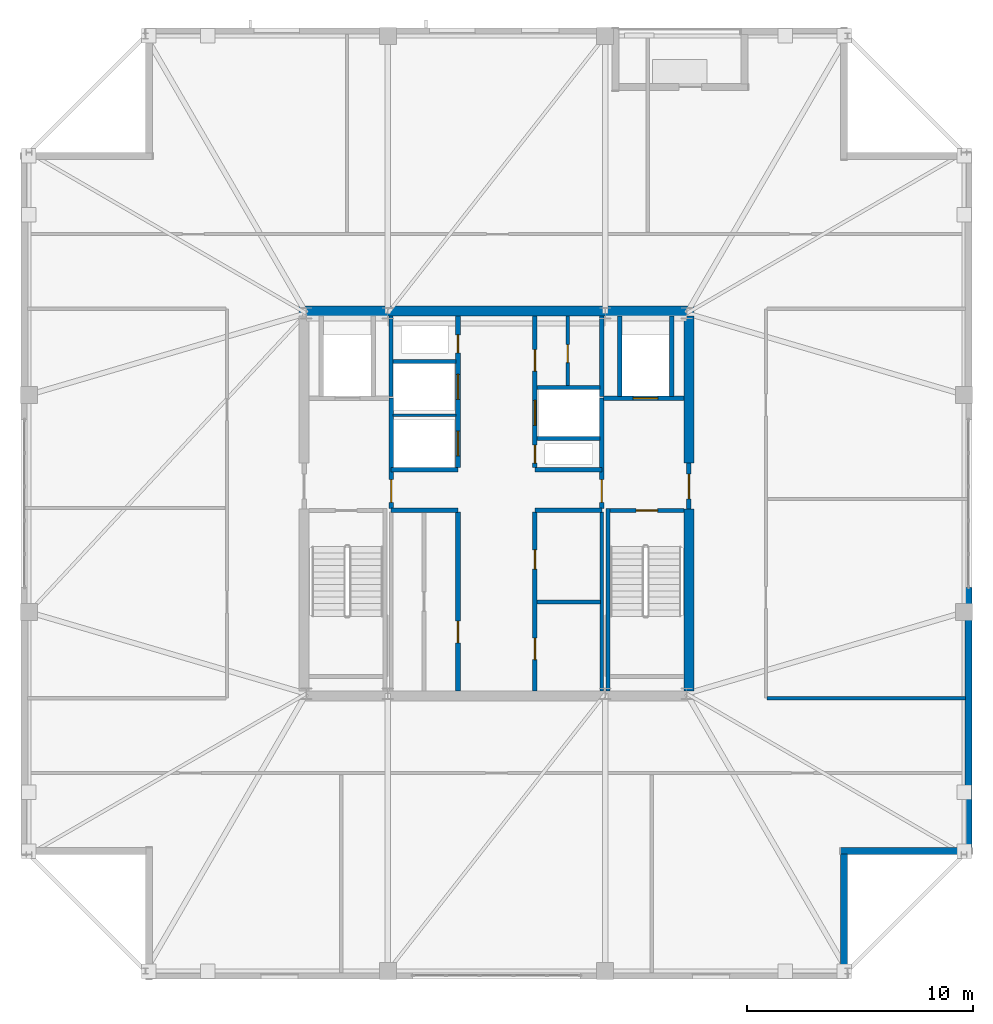
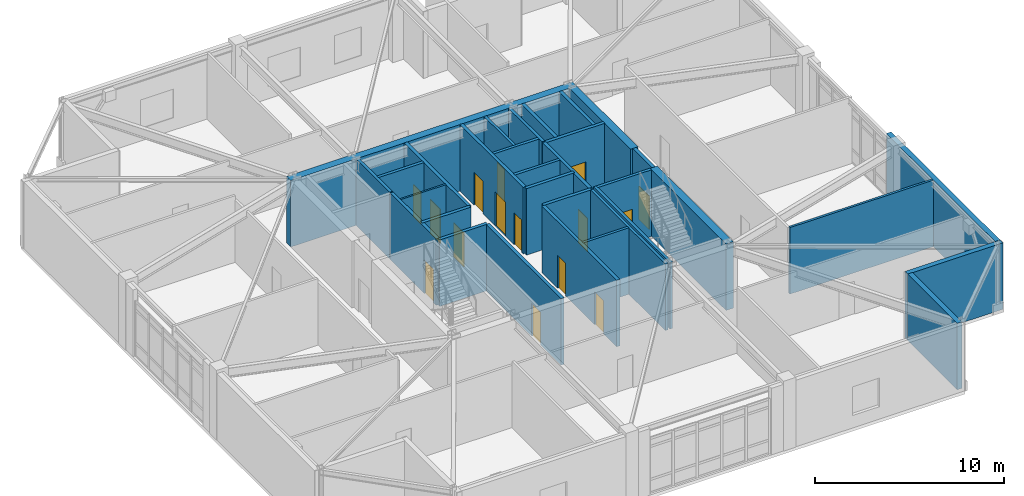
# One storey, part 12 of 16: 32 walls, 15 doors, 15 openings.
"""IFC4 building model written with IfcOpenShell, lengths in metres."""

from ifc_helpers import new_model, si_unit, direction, frame, frame_2d, origin, place, context, subcontext, project, spatial, rectangle, extrude, material, layer, layer_set, type_object, element, fill, save


model = new_model("IFC4")

# Units and contexts
model_context = context("Model", 3, precision=1e-05, world=origin(), true_north=direction((0.0, 1.0)))
body_context = subcontext(model_context, "Body", "Model", "MODEL_VIEW")
ifc_project = project(units=[si_unit("LENGTHUNIT", "METRE"), si_unit("AREAUNIT", "SQUARE_METRE"), si_unit("VOLUMEUNIT", "CUBIC_METRE"), si_unit("PLANEANGLEUNIT", "RADIAN"), si_unit("MASSUNIT", "GRAM", prefix="KILO")], contexts=[model_context])

# Site, building, storey
site_placement = place(None, origin())
site = spatial("IfcSite", under=ifc_project, at=site_placement, CompositionType="ELEMENT")
building_placement = place(site_placement, origin())
building = spatial("IfcBuilding", under=site, at=building_placement, Name="Cairnveth Concourse Tower", CompositionType="ELEMENT")
storey_placement = place(building_placement, frame((0.0, 0.0, 315.5)))
storey = spatial("IfcBuildingStorey", under=building, at=storey_placement, Name="L87", CompositionType="ELEMENT", Elevation=315.5)

# Walls
ifc_material_1 = material(Name="Gypsum Plasterboard Partition", Category="gypsum")
ifc_layer_1 = layer(ifc_material_1, 0.159912109375)
ifc_layer_set_1 = layer_set([ifc_layer_1], Name="Gypsum Plasterboard Partition")
wall_type_1 = type_object("IfcWallType", Name="ACOUSTIC PARTY WALL 180", PredefinedType="PARTITIONING", material=ifc_layer_set_1)
wall_1_placement = place(storey_placement, frame((56.64990234375, 30.7099609375, 0.0), z_axis=(0.0, 0.0, 1.0), x_axis=(0.0, 1.0, 0.0)))
element("IfcWall", 1, at=wall_1_placement, inside=storey, type_object=wall_type_1, Name="Interior Wall IW-L87-027", PredefinedType="PARTITIONING", context=body_context, shape_type="SweptSolid", body=[
    extrude(rectangle(XDim=7.905029296875, YDim=0.159912109375, at=frame_2d((3.95263671875, 0.0))), origin(), (0.0, 0.0, 1.0), 4.2900390625),
])
wall_2_placement = place(storey_placement, frame((53.784912109375, 34.64990234375, 0.0), z_axis=(0.0, 0.0, 1.0), x_axis=(1.0, 0.0, 0.0)))
element("IfcWall", 2, at=wall_2_placement, inside=storey, type_object=wall_type_1, Name="Interior Wall IW-L87-028", PredefinedType="PARTITIONING", context=body_context, shape_type="SweptSolid", body=[
    extrude(rectangle(XDim=2.800048828125, YDim=0.159912109375, at=frame_2d((1.39990234375, 0.0))), origin(), (0.0, 0.0, 1.0), 4.2900390625),
])

# Wall, opening, door
wall_3_placement = place(storey_placement, frame((55.14990234375, 44.195068359375, 0.0), z_axis=(0.0, 0.0, 1.0), x_axis=(0.0, 1.0, 0.0)))
wall_3 = element("IfcWall", 3, at=wall_3_placement, inside=storey, type_object=wall_type_1, Name="Interior Wall IW-L87-035", PredefinedType="PARTITIONING", context=body_context, shape_type="SweptSolid", body=[
    extrude(rectangle(XDim=3.094970703125, YDim=0.159912109375, at=frame_2d((1.54736328125, 0.0))), origin(), (0.0, 0.0, 1.0), 4.2900390625),
])
opening_1_placement = place(wall_3_placement, frame((1.02490234375, 0.0, 0.0)))
opening_1 = element("IfcOpeningElement", 4, at=opening_1_placement, cuts=wall_3, Name="Opening ID23", PredefinedType="OPENING", context=body_context, shape_type="SweptSolid", body=[
    extrude(rectangle(XDim=0.800048828125, YDim=2.10009765625, at=frame_2d((0.39990234375, 1.050048828125))), frame((0.0, 0.08984375, 0.0), z_axis=(0.0, -1.0, 0.0), x_axis=(1.0, 0.0, 0.0)), (0.0, 0.0, 1.0), 0.179931640625),
])
ifc_material_2 = material(Name="Steel Grade 350", Category="steel")
door_type_1 = type_object("IfcDoorType", Name="CORE SERVICE DOOR 800X2100", OperationType="NOTDEFINED", PredefinedType="DOOR", material=ifc_material_2)
door_1_placement = place(opening_1_placement, origin())
door_1 = element("IfcDoor", 5, at=door_1_placement, inside=storey, type_object=door_type_1, Name="NE Linen Closet Door L87", OperationType="SINGLE_SWING_LEFT", OverallHeight=2.10009765625, OverallWidth=0.800048828125, PredefinedType="DOOR", context=body_context, shape_type="SweptSolid", body=[
    extrude(rectangle(XDim=0.800048828125, YDim=2.10009765625, at=frame_2d((0.39990234375, 1.050048828125))), frame((0.0, 0.02490234375, 0.0), z_axis=(0.0, -1.0, 0.0), x_axis=(1.0, 0.0, 0.0)), (0.0, 0.0, 1.0), 0.050048828125),
])
fill(opening_1, door_1)

# Walls
ifc_material_3 = material(Name="Concrete N65 (65 MPa)", Category="concrete")
ifc_layer_2 = layer(ifc_material_3, 0.449951171875)
ifc_layer_set_2 = layer_set([ifc_layer_2], Name="Concrete N65 (65 MPa)")
wall_type_2 = type_object("IfcWallType", Name="CORE SHEAR WALL 450", PredefinedType="SHEAR", material=ifc_layer_set_2)
wall_4_placement = place(storey_placement, frame((43.27490234375, 47.5, 0.0), z_axis=(0.0, 0.0, 1.0), x_axis=(1.0, 0.0, 0.0)))
element("IfcWall", 6, at=wall_4_placement, inside=storey, type_object=wall_type_2, Name="Core North Shear Wall L87", PredefinedType="SHEAR", context=body_context, shape_type="SweptSolid", body=[
    extrude(rectangle(XDim=17.4501953125, YDim=0.449951171875, at=frame_2d((8.72509765625, 0.0))), origin(), (0.0, 0.0, 1.0), 4.2900390625),
])
wall_5_placement = place(storey_placement, frame((60.5, 30.715087890625, 0.0), z_axis=(0.0, 0.0, 1.0), x_axis=(0.0, 1.0, 0.0)))
element("IfcWall", 7, at=wall_5_placement, inside=storey, type_object=wall_type_2, Name="Core East Shear Wall S L87", PredefinedType="SHEAR", context=body_context, shape_type="SweptSolid", body=[
    extrude(rectangle(XDim=8.034912109375, YDim=0.449951171875, at=frame_2d((4.017578125, 0.0))), origin(), (0.0, 0.0, 1.0), 4.2900390625),
])
wall_6_placement = place(storey_placement, frame((60.5, 40.800048828125, 0.0), z_axis=(0.0, 0.0, 1.0), x_axis=(0.0, 1.0, 0.0)))
element("IfcWall", 8, at=wall_6_placement, inside=storey, type_object=wall_type_2, Name="Core East Shear Wall N L87", PredefinedType="SHEAR", context=body_context, shape_type="SweptSolid", body=[
    extrude(rectangle(XDim=6.48486328125, YDim=0.449951171875, at=frame_2d((3.242431640625, 0.0))), origin(), (0.0, 0.0, 1.0), 4.2900390625),
])
ifc_material_4 = material(Name="Concrete N50 (50 MPa)", Category="concrete")
ifc_layer_3 = layer(ifc_material_4, 0.179931640625)
ifc_layer_set_3 = layer_set([ifc_layer_3], Name="Concrete N50 (50 MPa)")
wall_type_3 = type_object("IfcWallType", Name="FIRE SHAFT WALL 180", PredefinedType="SOLIDWALL", material=ifc_layer_set_3)
wall_7_placement = place(storey_placement, frame((47.35009765625, 43.735107421875, 0.0), z_axis=(0.0, 0.0, 1.0), x_axis=(0.0, 1.0, 0.0)))
element("IfcWall", 9, at=wall_7_placement, inside=storey, type_object=wall_type_3, Name="Interior Wall IW-L87-029", PredefinedType="SOLIDWALL", context=body_context, shape_type="SweptSolid", body=[
    extrude(rectangle(XDim=3.554931640625, YDim=0.179931640625, at=frame_2d((1.77734375, 0.0))), origin(), (0.0, 0.0, 1.0), 4.2900390625),
])
wall_8_placement = place(storey_placement, frame((47.425048828125, 45.280029296875, 0.0), z_axis=(0.0, 0.0, 1.0), x_axis=(1.0, 0.0, 0.0)))
element("IfcWall", 10, at=wall_8_placement, inside=storey, type_object=wall_type_3, Name="Interior Wall IW-L87-031", PredefinedType="SOLIDWALL", context=body_context, shape_type="SweptSolid", body=[
    extrude(rectangle(XDim=2.7900390625, YDim=0.179931640625, at=frame_2d((1.39501953125, 0.0))), origin(), (0.0, 0.0, 1.0), 4.2900390625),
])
wall_9_placement = place(storey_placement, frame((56.64990234375, 43.735107421875, 0.0), z_axis=(0.0, 0.0, 1.0), x_axis=(0.0, 1.0, 0.0)))
element("IfcWall", 11, at=wall_9_placement, inside=storey, type_object=wall_type_3, Name="Interior Wall IW-L87-032", PredefinedType="SOLIDWALL", context=body_context, shape_type="SweptSolid", body=[
    extrude(rectangle(XDim=3.554931640625, YDim=0.179931640625, at=frame_2d((1.77734375, 0.0))), origin(), (0.0, 0.0, 1.0), 4.2900390625),
])
wall_10_placement = place(storey_placement, frame((53.784912109375, 41.8798828125, 0.0), z_axis=(0.0, 0.0, 1.0), x_axis=(1.0, 0.0, 0.0)))
element("IfcWall", 12, at=wall_10_placement, inside=storey, type_object=wall_type_3, Name="Interior Wall IW-L87-033", PredefinedType="SOLIDWALL", context=body_context, shape_type="SweptSolid", body=[
    extrude(rectangle(XDim=2.780029296875, YDim=0.179931640625, at=frame_2d((1.39013671875, 0.0))), origin(), (0.0, 0.0, 1.0), 4.2900390625),
])
wall_11_placement = place(storey_placement, frame((53.784912109375, 44.1201171875, 0.0), z_axis=(0.0, 0.0, 1.0), x_axis=(1.0, 0.0, 0.0)))
element("IfcWall", 13, at=wall_11_placement, inside=storey, type_object=wall_type_3, Name="Interior Wall IW-L87-034", PredefinedType="SOLIDWALL", context=body_context, shape_type="SweptSolid", body=[
    extrude(rectangle(XDim=2.7900390625, YDim=0.179931640625, at=frame_2d((1.39501953125, 0.0))), origin(), (0.0, 0.0, 1.0), 4.2900390625),
])

# Wall, opening, door
wall_12_placement = place(storey_placement, frame((57.0048828125, 38.68994140625, 0.0), z_axis=(0.0, 0.0, 1.0), x_axis=(1.0, 0.0, 0.0)))
wall_12 = element("IfcWall", 14, at=wall_12_placement, inside=storey, type_object=wall_type_3, Name="Stair ST-2 Shaft Wall NEAR L87", PredefinedType="SOLIDWALL", context=body_context, shape_type="SweptSolid", body=[
    extrude(rectangle(XDim=3.280029296875, YDim=0.179931640625, at=frame_2d((1.64013671875, 0.0))), origin(), (0.0, 0.0, 1.0), 4.2900390625),
])
opening_2_placement = place(wall_12_placement, frame((1.1650390625, 0.0, 0.0)))
opening_2 = element("IfcOpeningElement", 15, at=opening_2_placement, cuts=wall_12, Name="Opening ID12", PredefinedType="OPENING", context=body_context, shape_type="SweptSolid", body=[
    extrude(rectangle(XDim=0.949951171875, YDim=2.14990234375, at=frame_2d((0.47509765625, 1.074951171875))), frame((0.0, 0.099853515625, 0.0), z_axis=(0.0, -1.0, 0.0), x_axis=(1.0, 0.0, 0.0)), (0.0, 0.0, 1.0), 0.199951171875),
])
door_type_2 = type_object("IfcDoorType", Name="FIRE STAIR DOOR 950X2150", OperationType="NOTDEFINED", PredefinedType="DOOR", material=ifc_material_2)
door_2_placement = place(opening_2_placement, origin())
door_2 = element("IfcDoor", 16, at=door_2_placement, inside=storey, type_object=door_type_2, Name="Stair ST-2 Fire Door L87", OperationType="SINGLE_SWING_RIGHT", OverallHeight=2.14990234375, OverallWidth=0.949951171875, PredefinedType="DOOR", context=body_context, shape_type="SweptSolid", body=[
    extrude(rectangle(XDim=0.949951171875, YDim=2.14990234375, at=frame_2d((0.47509765625, 1.074951171875))), frame((0.0, 0.02490234375, 0.0), z_axis=(0.0, -1.0, 0.0), x_axis=(1.0, 0.0, 0.0)), (0.0, 0.0, 1.0), 0.050048828125),
])
fill(opening_2, door_2)

# Walls
wall_13_placement = place(storey_placement, frame((56.929931640625, 38.780029296875, 0.0), z_axis=(0.0, 0.0, 1.0), x_axis=(0.0, -1.0, 0.0)))
element("IfcWall", 17, at=wall_13_placement, inside=storey, type_object=wall_type_3, Name="Stair ST-2 Shaft Wall LEFT L87", PredefinedType="SOLIDWALL", context=body_context, shape_type="SweptSolid", body=[
    extrude(rectangle(XDim=8.067138671875, YDim=0.179931640625, at=frame_2d((4.03369140625, 0.0))), origin(), (0.0, 0.0, 1.0), 4.2900390625),
])
ifc_layer_4 = layer(ifc_material_4, 0.199951171875)
ifc_layer_set_4 = layer_set([ifc_layer_4], Name="Concrete N50 (50 MPa)")
wall_type_4 = type_object("IfcWallType", Name="FIRE SHAFT WALL 200", PredefinedType="SOLIDWALL", material=ifc_layer_set_4)
for number, where, z_axis, x_axis, name in (
    (18, (47.35009765625, 38.699951171875, 0.0), (0.0, 0.0, 1.0), (1.0, 0.0, 0.0), "Interior Wall IW-L87-007"),
    (19, (47.35009765625, 40.5, 0.0), (0.0, 0.0, 1.0), (1.0, 0.0, 0.0), "Interior Wall IW-L87-008"),
    (20, (53.699951171875, 38.699951171875, 0.0), (0.0, 0.0, 1.0), (1.0, 0.0, 0.0), "Interior Wall IW-L87-009"),
    (21, (53.699951171875, 40.5, 0.0), (0.0, 0.0, 1.0), (1.0, 0.0, 0.0), "Interior Wall IW-L87-010"),
):
    element("IfcWall", number, at=place(storey_placement, frame(where, z_axis=z_axis, x_axis=x_axis)), inside=storey, type_object=wall_type_4, Name=name, PredefinedType="SOLIDWALL", context=body_context, shape_type="SweptSolid", body=[
        extrude(rectangle(XDim=2.949951171875, YDim=0.199951171875, at=frame_2d((1.47509765625, 0.0))), origin(), (0.0, 0.0, 1.0), 4.2900390625),
    ])

# Wall, opening, door
wall_14_placement = place(storey_placement, frame((50.300048828125, 30.7099609375, 0.0), z_axis=(0.0, 0.0, 1.0), x_axis=(0.0, 1.0, 0.0)))
wall_14 = element("IfcWall", 22, at=wall_14_placement, inside=storey, type_object=wall_type_4, Name="Interior Wall IW-L87-011", PredefinedType="SOLIDWALL", context=body_context, shape_type="SweptSolid", body=[
    extrude(rectangle(XDim=7.905029296875, YDim=0.199951171875, at=frame_2d((3.95263671875, 0.0))), origin(), (0.0, 0.0, 1.0), 4.2900390625),
])
opening_3_placement = place(wall_14_placement, frame((2.139892578125, 0.0, 0.0)))
opening_3 = element("IfcOpeningElement", 23, at=opening_3_placement, cuts=wall_14, Name="Opening ID25", PredefinedType="OPENING", context=body_context, shape_type="SweptSolid", body=[
    extrude(rectangle(XDim=0.949951171875, YDim=2.1201171875, at=frame_2d((0.47509765625, 1.06005859375))), frame((0.0, 0.10986328125, 0.0), z_axis=(0.0, -1.0, 0.0), x_axis=(1.0, 0.0, 0.0)), (0.0, 0.0, 1.0), 0.219970703125),
])
door_type_3 = type_object("IfcDoorType", Name="CORE ACCESSIBLE FIRE DOOR 950X2120", OperationType="NOTDEFINED", PredefinedType="DOOR", material=ifc_material_2)
door_3_placement = place(opening_3_placement, origin())
door_3 = element("IfcDoor", 24, at=door_3_placement, inside=storey, type_object=door_type_3, Name="Accessible WC Suite Door L87", OperationType="SINGLE_SWING_LEFT", OverallHeight=2.1201171875, OverallWidth=0.949951171875, PredefinedType="DOOR", context=body_context, shape_type="SweptSolid", body=[
    extrude(rectangle(XDim=0.949951171875, YDim=2.1201171875, at=frame_2d((0.47509765625, 1.06005859375))), frame((0.0, 0.02490234375, 0.0), z_axis=(0.0, -1.0, 0.0), x_axis=(1.0, 0.0, 0.0)), (0.0, 0.0, 1.0), 0.050048828125),
])
fill(opening_3, door_3)

# Wall, openings, doors
wall_15_placement = place(storey_placement, frame((53.699951171875, 30.7099609375, 0.0), z_axis=(0.0, 0.0, 1.0), x_axis=(0.0, 1.0, 0.0)))
wall_15 = element("IfcWall", 25, at=wall_15_placement, inside=storey, type_object=wall_type_4, Name="Interior Wall IW-L87-012", PredefinedType="SOLIDWALL", context=body_context, shape_type="SweptSolid", body=[
    extrude(rectangle(XDim=7.905029296875, YDim=0.199951171875, at=frame_2d((3.95263671875, 0.0))), origin(), (0.0, 0.0, 1.0), 4.2900390625),
])
opening_4_placement = place(wall_15_placement, frame((1.389892578125, 0.0, 0.0)))
opening_4 = element("IfcOpeningElement", 26, at=opening_4_placement, cuts=wall_15, Name="Opening ID25", PredefinedType="OPENING", context=body_context, shape_type="SweptSolid", body=[
    extrude(rectangle(XDim=0.949951171875, YDim=2.1201171875, at=frame_2d((0.47509765625, 1.06005859375))), frame((0.0, 0.10986328125, 0.0), z_axis=(0.0, -1.0, 0.0), x_axis=(1.0, 0.0, 0.0)), (0.0, 0.0, 1.0), 0.219970703125),
])
opening_5_placement = place(wall_15_placement, frame((5.389892578125, 0.0, 0.0)))
opening_5 = element("IfcOpeningElement", 27, at=opening_5_placement, cuts=wall_15, Name="Opening ID19", PredefinedType="OPENING", context=body_context, shape_type="SweptSolid", body=[
    extrude(rectangle(XDim=0.85009765625, YDim=2.1201171875, at=frame_2d((0.425048828125, 1.06005859375))), frame((0.0, 0.10986328125, 0.0), z_axis=(0.0, -1.0, 0.0), x_axis=(1.0, 0.0, 0.0)), (0.0, 0.0, 1.0), 0.219970703125),
])
door_4_placement = place(opening_4_placement, origin())
door_4 = element("IfcDoor", 28, at=door_4_placement, inside=storey, type_object=door_type_3, Name="Sky WC Door L87", OperationType="SINGLE_SWING_LEFT", OverallHeight=2.1201171875, OverallWidth=0.949951171875, PredefinedType="DOOR", context=body_context, shape_type="SweptSolid", body=[
    extrude(rectangle(XDim=0.949951171875, YDim=2.1201171875, at=frame_2d((0.47509765625, 1.06005859375))), frame((0.0, 0.02490234375, 0.0), z_axis=(0.0, -1.0, 0.0), x_axis=(1.0, 0.0, 0.0)), (0.0, 0.0, 1.0), 0.050048828125),
])
fill(opening_4, door_4)
door_type_4 = type_object("IfcDoorType", Name="CORE SERVICE DOOR 850X2100", OperationType="NOTDEFINED", PredefinedType="DOOR", material=ifc_material_2)
door_5_placement = place(opening_5_placement, origin())
door_5 = element("IfcDoor", 29, at=door_5_placement, inside=storey, type_object=door_type_4, Name="Janitor Door L87", OperationType="SINGLE_SWING_RIGHT", OverallHeight=2.1201171875, OverallWidth=0.85009765625, PredefinedType="DOOR", context=body_context, shape_type="SweptSolid", body=[
    extrude(rectangle(XDim=0.85009765625, YDim=2.1201171875, at=frame_2d((0.425048828125, 1.06005859375))), frame((0.0, 0.02490234375, 0.0), z_axis=(0.0, -1.0, 0.0), x_axis=(1.0, 0.0, 0.0)), (0.0, 0.0, 1.0), 0.050048828125),
])
fill(opening_5, door_5)

wall_16_placement = place(storey_placement, frame((50.300048828125, 40.5849609375, 0.0), z_axis=(0.0, 0.0, 1.0), x_axis=(0.0, 1.0, 0.0)))
wall_16 = element("IfcWall", 30, at=wall_16_placement, inside=storey, type_object=wall_type_4, Name="Interior Wall IW-L87-013", PredefinedType="SOLIDWALL", context=body_context, shape_type="SweptSolid", body=[
    extrude(rectangle(XDim=6.705078125, YDim=0.199951171875, at=frame_2d((3.3525390625, 0.0))), origin(), (0.0, 0.0, 1.0), 4.2900390625),
])
opening_6_placement = place(wall_16_placement, frame((0.514892578125, 0.0, 0.0)))
opening_6 = element("IfcOpeningElement", 31, at=opening_6_placement, cuts=wall_16, Name="Opening LD-1", PredefinedType="OPENING", context=body_context, shape_type="SweptSolid", body=[
    extrude(rectangle(XDim=1.10009765625, YDim=2.199951171875, at=frame_2d((0.550048828125, 1.10009765625))), frame((0.0, 0.10986328125, 0.0), z_axis=(0.0, -1.0, 0.0), x_axis=(1.0, 0.0, 0.0)), (0.0, 0.0, 1.0), 0.219970703125),
])
opening_7_placement = place(wall_16_placement, frame((3.014892578125, 0.0, 0.0)))
opening_7 = element("IfcOpeningElement", 32, at=opening_7_placement, cuts=wall_16, Name="Opening LD-1", PredefinedType="OPENING", context=body_context, shape_type="SweptSolid", body=[
    extrude(rectangle(XDim=1.10009765625, YDim=2.199951171875, at=frame_2d((0.550048828125, 1.10009765625))), frame((0.0, 0.10986328125, 0.0), z_axis=(0.0, -1.0, 0.0), x_axis=(1.0, 0.0, 0.0)), (0.0, 0.0, 1.0), 0.219970703125),
])
opening_8_placement = place(wall_16_placement, frame((5.06494140625, 0.0, 0.0)))
opening_8 = element("IfcOpeningElement", 33, at=opening_8_placement, cuts=wall_16, Name="Opening ID24", PredefinedType="OPENING", context=body_context, shape_type="SweptSolid", body=[
    extrude(rectangle(XDim=0.800048828125, YDim=2.080078125, at=frame_2d((0.39990234375, 1.0400390625))), frame((0.0, 0.10986328125, 0.0), z_axis=(0.0, -1.0, 0.0), x_axis=(1.0, 0.0, 0.0)), (0.0, 0.0, 1.0), 0.219970703125),
])
ifc_material_5 = material(Name="Architectural Bronze Anodised Aluminium 6063-T6", Category="aluminium")
door_type_5 = type_object("IfcDoorType", Name="LIFT LANDING DOOR 1100X2200", OperationType="SLIDING_TO_LEFT", PredefinedType="DOOR", material=ifc_material_5)
door_6_placement = place(opening_6_placement, origin())
door_6 = element("IfcDoor", 34, at=door_6_placement, inside=storey, type_object=door_type_5, Name="Lift PL7 Landing Door L87", OperationType="SLIDING_TO_LEFT", OverallHeight=2.199951171875, OverallWidth=1.10009765625, PredefinedType="DOOR", context=body_context, shape_type="SweptSolid", body=[
    extrude(rectangle(XDim=1.10009765625, YDim=2.199951171875, at=frame_2d((0.550048828125, 1.10009765625))), frame((0.0, 0.02490234375, 0.0), z_axis=(0.0, -1.0, 0.0), x_axis=(1.0, 0.0, 0.0)), (0.0, 0.0, 1.0), 0.050048828125),
])
fill(opening_6, door_6)
door_7_placement = place(opening_7_placement, origin())
door_7 = element("IfcDoor", 35, at=door_7_placement, inside=storey, type_object=door_type_5, Name="Lift PL8 Landing Door L87", OperationType="SLIDING_TO_LEFT", OverallHeight=2.199951171875, OverallWidth=1.10009765625, PredefinedType="DOOR", context=body_context, shape_type="SweptSolid", body=[
    extrude(rectangle(XDim=1.10009765625, YDim=2.199951171875, at=frame_2d((0.550048828125, 1.10009765625))), frame((0.0, 0.02490234375, 0.0), z_axis=(0.0, -1.0, 0.0), x_axis=(1.0, 0.0, 0.0)), (0.0, 0.0, 1.0), 0.050048828125),
])
fill(opening_7, door_7)
door_type_6 = type_object("IfcDoorType", Name="RISER ACCESS DOOR 800X2100", OperationType="NOTDEFINED", PredefinedType="DOOR", material=ifc_material_2)
door_8_placement = place(opening_8_placement, origin())
door_8 = element("IfcDoor", 36, at=door_8_placement, inside=storey, type_object=door_type_6, Name="NW Electrical Riser Access Door L87", OperationType="SINGLE_SWING_LEFT", OverallHeight=2.080078125, OverallWidth=0.800048828125, PredefinedType="DOOR", context=body_context, shape_type="SweptSolid", body=[
    extrude(rectangle(XDim=0.800048828125, YDim=2.080078125, at=frame_2d((0.39990234375, 1.0400390625))), frame((0.0, 0.02490234375, 0.0), z_axis=(0.0, -1.0, 0.0), x_axis=(1.0, 0.0, 0.0)), (0.0, 0.0, 1.0), 0.050048828125),
])
fill(opening_8, door_8)

wall_17_placement = place(storey_placement, frame((53.699951171875, 40.5849609375, 0.0), z_axis=(0.0, 0.0, 1.0), x_axis=(0.0, 1.0, 0.0)))
wall_17 = element("IfcWall", 37, at=wall_17_placement, inside=storey, type_object=wall_type_4, Name="Interior Wall IW-L87-014", PredefinedType="SOLIDWALL", context=body_context, shape_type="SweptSolid", body=[
    extrude(rectangle(XDim=6.705078125, YDim=0.199951171875, at=frame_2d((3.3525390625, 0.0))), origin(), (0.0, 0.0, 1.0), 4.2900390625),
])
opening_9_placement = place(wall_17_placement, frame((0.195068359375, 0.0, 0.0)))
opening_9 = element("IfcOpeningElement", 38, at=opening_9_placement, cuts=wall_17, Name="Opening ID24", PredefinedType="OPENING", context=body_context, shape_type="SweptSolid", body=[
    extrude(rectangle(XDim=0.800048828125, YDim=2.080078125, at=frame_2d((0.39990234375, 1.0400390625))), frame((0.0, 0.10986328125, 0.0), z_axis=(0.0, -1.0, 0.0), x_axis=(1.0, 0.0, 0.0)), (0.0, 0.0, 1.0), 0.219970703125),
])
opening_10_placement = place(wall_17_placement, frame((1.864990234375, 0.0, 0.0)))
opening_10 = element("IfcOpeningElement", 39, at=opening_10_placement, cuts=wall_17, Name="Opening LD-1", PredefinedType="OPENING", context=body_context, shape_type="SweptSolid", body=[
    extrude(rectangle(XDim=1.10009765625, YDim=2.199951171875, at=frame_2d((0.550048828125, 1.10009765625))), frame((0.0, 0.10986328125, 0.0), z_axis=(0.0, -1.0, 0.0), x_axis=(1.0, 0.0, 0.0)), (0.0, 0.0, 1.0), 0.219970703125),
])
opening_11_placement = place(wall_17_placement, frame((4.264892578125, 0.0, 0.0)))
opening_11 = element("IfcOpeningElement", 40, at=opening_11_placement, cuts=wall_17, Name="Opening ID25", PredefinedType="OPENING", context=body_context, shape_type="SweptSolid", body=[
    extrude(rectangle(XDim=0.949951171875, YDim=2.1201171875, at=frame_2d((0.47509765625, 1.06005859375))), frame((0.0, 0.10986328125, 0.0), z_axis=(0.0, -1.0, 0.0), x_axis=(1.0, 0.0, 0.0)), (0.0, 0.0, 1.0), 0.219970703125),
])
door_9_placement = place(opening_11_placement, origin())
door_9 = element("IfcDoor", 41, at=door_9_placement, inside=storey, type_object=door_type_3, Name="Core NE Restroom Door L87", OperationType="SINGLE_SWING_RIGHT", OverallHeight=2.1201171875, OverallWidth=0.949951171875, PredefinedType="DOOR", context=body_context, shape_type="SweptSolid", body=[
    extrude(rectangle(XDim=0.949951171875, YDim=2.1201171875, at=frame_2d((0.47509765625, 1.06005859375))), frame((0.0, 0.02490234375, 0.0), z_axis=(0.0, -1.0, 0.0), x_axis=(1.0, 0.0, 0.0)), (0.0, 0.0, 1.0), 0.050048828125),
])
fill(opening_11, door_9)
door_10_placement = place(opening_10_placement, origin())
door_10 = element("IfcDoor", 42, at=door_10_placement, inside=storey, type_object=door_type_5, Name="Lift PL9 Landing Door L87", OperationType="SLIDING_TO_LEFT", OverallHeight=2.199951171875, OverallWidth=1.10009765625, PredefinedType="DOOR", context=body_context, shape_type="SweptSolid", body=[
    extrude(rectangle(XDim=1.10009765625, YDim=2.199951171875, at=frame_2d((0.550048828125, 1.10009765625))), frame((0.0, 0.02490234375, 0.0), z_axis=(0.0, -1.0, 0.0), x_axis=(1.0, 0.0, 0.0)), (0.0, 0.0, 1.0), 0.050048828125),
])
fill(opening_10, door_10)
door_11_placement = place(opening_9_placement, origin())
door_11 = element("IfcDoor", 43, at=door_11_placement, inside=storey, type_object=door_type_6, Name="Hydraulic Riser Door L87", OperationType="SINGLE_SWING_RIGHT", OverallHeight=2.080078125, OverallWidth=0.800048828125, PredefinedType="DOOR", context=body_context, shape_type="SweptSolid", body=[
    extrude(rectangle(XDim=0.800048828125, YDim=2.080078125, at=frame_2d((0.39990234375, 1.0400390625))), frame((0.0, 0.02490234375, 0.0), z_axis=(0.0, -1.0, 0.0), x_axis=(1.0, 0.0, 0.0)), (0.0, 0.0, 1.0), 0.050048828125),
])
fill(opening_9, door_11)

# Wall, opening, door
wall_18_placement = place(storey_placement, frame((47.35009765625, 38.784912109375, 0.0), z_axis=(0.0, 0.0, 1.0), x_axis=(0.0, 1.0, 0.0)))
wall_18 = element("IfcWall", 44, at=wall_18_placement, inside=storey, type_object=wall_type_4, Name="Interior Wall IW-L87-016", PredefinedType="SOLIDWALL", context=body_context, shape_type="SweptSolid", body=[
    extrude(rectangle(XDim=4.864990234375, YDim=0.199951171875, at=frame_2d((2.4326171875, 0.0))), origin(), (0.0, 0.0, 1.0), 4.2900390625),
])
opening_12_placement = place(wall_18_placement, frame((0.264892578125, 0.0, 0.0)))
opening_12 = element("IfcOpeningElement", 45, at=opening_12_placement, cuts=wall_18, Name="Opening ID07", PredefinedType="OPENING", context=body_context, shape_type="SweptSolid", body=[
    extrude(rectangle(XDim=1.0, YDim=2.14990234375, at=frame_2d((0.5, 1.074951171875))), frame((0.0, 0.10986328125, 0.0), z_axis=(0.0, -1.0, 0.0), x_axis=(1.0, 0.0, 0.0)), (0.0, 0.0, 1.0), 0.219970703125),
])
door_type_7 = type_object("IfcDoorType", Name="FIRE CORRIDOR DOOR 1000X2150", OperationType="NOTDEFINED", PredefinedType="DOOR", material=ifc_material_2)
door_12_placement = place(opening_12_placement, origin())
door_12 = element("IfcDoor", 46, at=door_12_placement, inside=storey, type_object=door_type_7, Name="FF Lobby West to Lift Lobby Door L87", OperationType="SINGLE_SWING_RIGHT", OverallHeight=2.14990234375, OverallWidth=1.0, PredefinedType="DOOR", context=body_context, shape_type="SweptSolid", body=[
    extrude(rectangle(XDim=1.0, YDim=2.14990234375, at=frame_2d((0.5, 1.074951171875))), frame((0.0, 0.02490234375, 0.0), z_axis=(0.0, -1.0, 0.0), x_axis=(1.0, 0.0, 0.0)), (0.0, 0.0, 1.0), 0.050048828125),
])
fill(opening_12, door_12)

wall_19_placement = place(storey_placement, frame((60.5, 38.75, 0.0), z_axis=(0.0, 0.0, 1.0), x_axis=(0.0, 1.0, 0.0)))
wall_19 = element("IfcWall", 47, at=wall_19_placement, inside=storey, type_object=wall_type_4, Name="Interior Wall IW-L87-020", PredefinedType="SOLIDWALL", context=body_context, shape_type="SweptSolid", body=[
    extrude(rectangle(XDim=2.050048828125, YDim=0.199951171875, at=frame_2d((1.02490234375, 0.0))), origin(), (0.0, 0.0, 1.0), 4.2900390625),
])
opening_13_placement = place(wall_19_placement, frame((0.449951171875, 0.0, 0.0)))
opening_13 = element("IfcOpeningElement", 48, at=opening_13_placement, cuts=wall_19, Name="Opening ID06", PredefinedType="OPENING", context=body_context, shape_type="SweptSolid", body=[
    extrude(rectangle(XDim=1.10009765625, YDim=2.14990234375, at=frame_2d((0.550048828125, 1.074951171875))), frame((0.0, 0.10986328125, 0.0), z_axis=(0.0, -1.0, 0.0), x_axis=(1.0, 0.0, 0.0)), (0.0, 0.0, 1.0), 0.219970703125),
])
door_type_8 = type_object("IfcDoorType", Name="FIRE CORRIDOR DOOR 1100X2150", OperationType="NOTDEFINED", PredefinedType="DOOR", material=ifc_material_2)
door_13_placement = place(opening_13_placement, origin())
door_13 = element("IfcDoor", 49, at=door_13_placement, inside=storey, type_object=door_type_8, Name="East Wing to FF Lobby Door L87", OperationType="SINGLE_SWING_RIGHT", OverallHeight=2.14990234375, OverallWidth=1.10009765625, PredefinedType="DOOR", context=body_context, shape_type="SweptSolid", body=[
    extrude(rectangle(XDim=1.10009765625, YDim=2.14990234375, at=frame_2d((0.550048828125, 1.074951171875))), frame((0.0, 0.02490234375, 0.0), z_axis=(0.0, -1.0, 0.0), x_axis=(1.0, 0.0, 0.0)), (0.0, 0.0, 1.0), 0.050048828125),
])
fill(opening_13, door_13)

wall_20_placement = place(storey_placement, frame((56.64990234375, 38.784912109375, 0.0), z_axis=(0.0, 0.0, 1.0), x_axis=(0.0, 1.0, 0.0)))
wall_20 = element("IfcWall", 50, at=wall_20_placement, inside=storey, type_object=wall_type_4, Name="Interior Wall IW-L87-021", PredefinedType="SOLIDWALL", context=body_context, shape_type="SweptSolid", body=[
    extrude(rectangle(XDim=4.864990234375, YDim=0.199951171875, at=frame_2d((2.4326171875, 0.0))), origin(), (0.0, 0.0, 1.0), 4.2900390625),
])
opening_14_placement = place(wall_20_placement, frame((0.264892578125, 0.0, 0.0)))
opening_14 = element("IfcOpeningElement", 51, at=opening_14_placement, cuts=wall_20, Name="Opening ID07", PredefinedType="OPENING", context=body_context, shape_type="SweptSolid", body=[
    extrude(rectangle(XDim=1.0, YDim=2.14990234375, at=frame_2d((0.5, 1.074951171875))), frame((0.0, 0.10986328125, 0.0), z_axis=(0.0, -1.0, 0.0), x_axis=(1.0, 0.0, 0.0)), (0.0, 0.0, 1.0), 0.219970703125),
])
door_14_placement = place(opening_14_placement, origin())
door_14 = element("IfcDoor", 52, at=door_14_placement, inside=storey, type_object=door_type_7, Name="FF Lobby East to Lift Lobby Door L87", OperationType="SINGLE_SWING_LEFT", OverallHeight=2.14990234375, OverallWidth=1.0, PredefinedType="DOOR", context=body_context, shape_type="SweptSolid", body=[
    extrude(rectangle(XDim=1.0, YDim=2.14990234375, at=frame_2d((0.5, 1.074951171875))), frame((0.0, 0.02490234375, 0.0), z_axis=(0.0, -1.0, 0.0), x_axis=(1.0, 0.0, 0.0)), (0.0, 0.0, 1.0), 0.050048828125),
])
fill(opening_14, door_14)

wall_21_placement = place(storey_placement, frame((56.735107421875, 43.64990234375, 0.0), z_axis=(0.0, 0.0, 1.0), x_axis=(1.0, 0.0, 0.0)))
wall_21 = element("IfcWall", 53, at=wall_21_placement, inside=storey, type_object=wall_type_4, Name="Interior Wall IW-L87-022", PredefinedType="SOLIDWALL", context=body_context, shape_type="SweptSolid", body=[
    extrude(rectangle(XDim=3.554931640625, YDim=0.199951171875, at=frame_2d((1.77734375, 0.0))), origin(), (0.0, 0.0, 1.0), 4.2900390625),
])
opening_15_placement = place(wall_21_placement, frame((1.294921875, 0.0, 0.0)))
opening_15 = element("IfcOpeningElement", 54, at=opening_15_placement, cuts=wall_21, Name="Opening LD-1", PredefinedType="OPENING", context=body_context, shape_type="SweptSolid", body=[
    extrude(rectangle(XDim=1.10009765625, YDim=2.199951171875, at=frame_2d((0.550048828125, 1.10009765625))), frame((0.0, 0.10986328125, 0.0), z_axis=(0.0, -1.0, 0.0), x_axis=(1.0, 0.0, 0.0)), (0.0, 0.0, 1.0), 0.219970703125),
])
door_15_placement = place(opening_15_placement, origin())
door_15 = element("IfcDoor", 55, at=door_15_placement, inside=storey, type_object=door_type_5, Name="Lift FFL2 Landing Door L87", OperationType="SLIDING_TO_LEFT", OverallHeight=2.199951171875, OverallWidth=1.10009765625, PredefinedType="DOOR", context=body_context, shape_type="SweptSolid", body=[
    extrude(rectangle(XDim=1.10009765625, YDim=2.199951171875, at=frame_2d((0.550048828125, 1.10009765625))), frame((0.0, 0.02490234375, 0.0), z_axis=(0.0, -1.0, 0.0), x_axis=(1.0, 0.0, 0.0)), (0.0, 0.0, 1.0), 0.050048828125),
])
fill(opening_15, door_15)

# Walls
for number, where, z_axis, x_axis, name in (
    (56, (57.449951171875, 43.735107421875, 0.0), (0.0, 0.0, 1.0), (0.0, 1.0, 0.0), "Interior Wall IW-L87-023"),
    (57, (59.75, 43.735107421875, 0.0), (0.0, 0.0, 1.0), (0.0, 1.0, 0.0), "Interior Wall IW-L87-024"),
):
    element("IfcWall", number, at=place(storey_placement, frame(where, z_axis=z_axis, x_axis=x_axis)), inside=storey, type_object=wall_type_4, Name=name, PredefinedType="SOLIDWALL", context=body_context, shape_type="SweptSolid", body=[
        extrude(rectangle(XDim=3.554931640625, YDim=0.199951171875, at=frame_2d((1.77734375, 0.0))), origin(), (0.0, 0.0, 1.0), 4.2900390625),
    ])
ifc_layer_5 = layer(ifc_material_1, 0.139892578125)
ifc_layer_set_5 = layer_set([ifc_layer_5], Name="Gypsum Plasterboard Partition")
wall_type_5 = type_object("IfcWallType", Name="GYPSUM STUD PARTITION 140", PredefinedType="PARTITIONING", material=ifc_layer_set_5)
wall_22_placement = place(storey_placement, frame((63.955078125, 30.39990234375, 0.0), z_axis=(0.0, 0.0, 1.0), x_axis=(1.0, 0.0, 0.0)))
element("IfcWall", 58, at=wall_22_placement, inside=storey, type_object=wall_type_5, Name="Interior Wall IW-L87-042", PredefinedType="PARTITIONING", context=body_context, shape_type="SweptSolid", body=[
    extrude(rectangle(XDim=8.760009765625, YDim=0.139892578125, at=frame_2d((4.3798828125, 0.0))), origin(), (0.0, 0.0, 1.0), 4.2900390625),
])
ifc_layer_6 = layer(ifc_material_1, 0.110107421875)
ifc_layer_set_6 = layer_set([ifc_layer_6], Name="Gypsum Plasterboard Partition")
wall_type_6 = type_object("IfcWallType", Name="SHAFT DIVIDER WALL 140", PredefinedType="PARTITIONING", material=ifc_layer_set_6)
wall_23_placement = place(storey_placement, frame((47.43505859375, 42.89990234375, 0.0), z_axis=(0.0, 0.0, 1.0), x_axis=(1.0, 0.0, 0.0)))
element("IfcWall", 59, at=wall_23_placement, inside=storey, type_object=wall_type_6, Name="Interior Wall IW-L87-030", PredefinedType="PARTITIONING", context=body_context, shape_type="SweptSolid", body=[
    extrude(rectangle(XDim=2.780029296875, YDim=0.110107421875, at=frame_2d((1.39013671875, 0.0))), origin(), (0.0, 0.0, 1.0), 4.2900390625),
])
ifc_material_6 = material(Name="Hawthorn Red-Ochre Fired Clay Brick Masonry", Category="masonry")
ifc_layer_7 = layer(ifc_material_6, 0.300048828125)
ifc_layer_set_7 = layer_set([ifc_layer_7], Name="Hawthorn Red-Ochre Fired Clay Brick Masonry")
wall_type_7 = type_object("IfcWallType", Name="ZONE 4 BRICK PIER SPANDREL WALL 300", PredefinedType="SOLIDWALL", material=ifc_layer_set_7)
wall_24_placement = place(storey_placement, frame((72.85009765625, 35.300048828125, 0.0), z_axis=(0.0, 0.0, 1.0), x_axis=(0.0, -1.0, 0.0)))
element("IfcWall", 60, at=wall_24_placement, inside=storey, type_object=wall_type_7, Name="Exterior Wall EW-L87-S3B", PredefinedType="SOLIDWALL", context=body_context, shape_type="SweptSolid", body=[
    extrude(rectangle(XDim=11.52197265625, YDim=0.300048828125, at=frame_2d((5.760986328125, 0.0))), origin(), (0.0, 0.0, 1.0), 4.2900390625),
])
wall_25_placement = place(storey_placement, frame((73.0, 23.64990234375, 0.0), z_axis=(0.0, 0.0, 1.0), x_axis=(-1.0, 0.0, 0.0)))
element("IfcWall", 61, at=wall_25_placement, inside=storey, type_object=wall_type_7, Name="Exterior Wall EW-L87-S04", PredefinedType="SOLIDWALL", context=body_context, shape_type="SweptSolid", body=[
    extrude(rectangle(XDim=5.800048828125, YDim=0.300048828125, at=frame_2d((2.89990234375, 0.0))), origin(), (0.0, 0.0, 1.0), 4.2900390625),
])
wall_26_placement = place(storey_placement, frame((67.35009765625, 23.52197265625, 0.0), z_axis=(0.0, 0.0, 1.0), x_axis=(0.0, -1.0, 0.0)))
element("IfcWall", 62, at=wall_26_placement, inside=storey, type_object=wall_type_7, Name="Exterior Wall EW-L87-S05", PredefinedType="SOLIDWALL", context=body_context, shape_type="SweptSolid", body=[
    extrude(rectangle(XDim=5.243896484375, YDim=0.300048828125, at=frame_2d((2.6220703125, 0.0))), origin(), (0.0, 0.0, 1.0), 4.2900390625),
])

save(model, "model.ifc")
